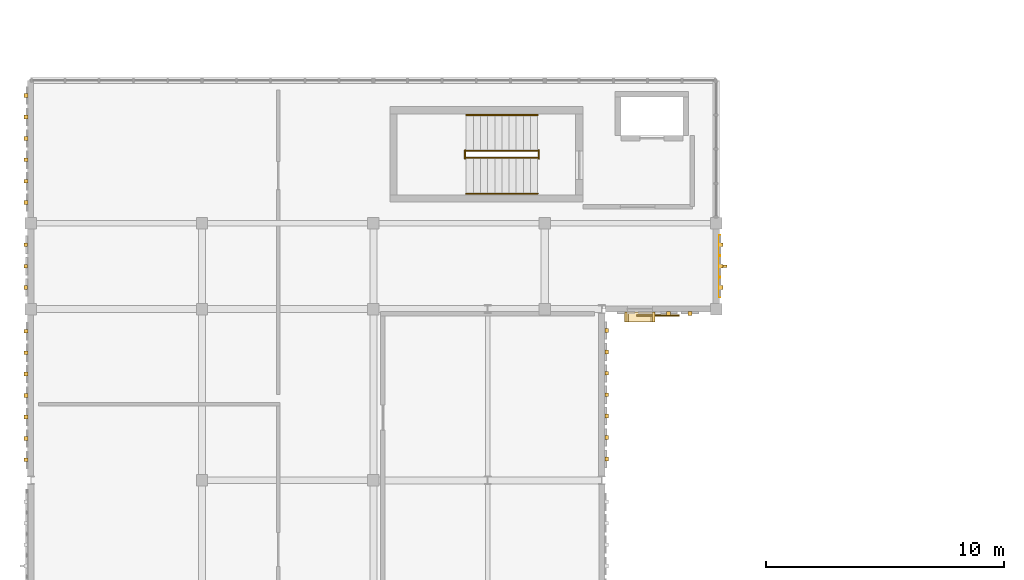
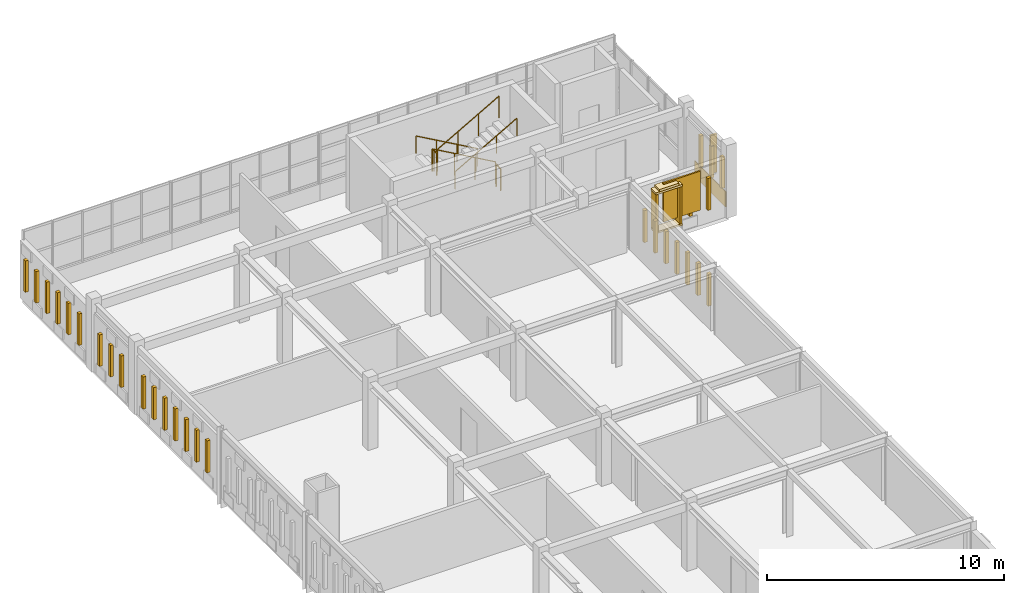
# One storey, part 43 of 53: 34 coverings, 6 railings, 2 shading devices.
"""IFC4 building model written with IfcOpenShell, lengths in metres."""

from ifc_helpers import new_model, si_unit, direction, frame, origin, origin_2d, place, context, subcontext, project, spatial, rectangle, circle, extrude, material, layer, layer_set, type_object, element, save


model = new_model("IFC4")

# Units and contexts
model_context = context("Model", 3, precision=1e-05, world=origin(), true_north=direction((0.0, 1.0)))
body_context = subcontext(model_context, "Body", "Model", "MODEL_VIEW")
ifc_project = project(units=[si_unit("LENGTHUNIT", "METRE"), si_unit("AREAUNIT", "SQUARE_METRE"), si_unit("VOLUMEUNIT", "CUBIC_METRE"), si_unit("PLANEANGLEUNIT", "RADIAN"), si_unit("MASSUNIT", "GRAM", prefix="KILO")], contexts=[model_context])

# Site, building, storey
site_placement = place(None, origin())
site = spatial("IfcSite", under=ifc_project, at=site_placement, CompositionType="ELEMENT")
building_placement = place(site_placement, origin())
building = spatial("IfcBuilding", under=site, at=building_placement, Name="Nzembalo Square Collegiate School", CompositionType="ELEMENT")
storey_placement = place(building_placement, frame((0.0, 0.0, 13.60009765625)))
storey = spatial("IfcBuildingStorey", under=building, at=storey_placement, Name="L03", CompositionType="ELEMENT", Elevation=13.60009765625)

# Coverings
ifc_material_1 = material(Name="Glazed cobalt ceramic patterned tile")
ifc_layer_1 = layer(ifc_material_1, 0.074951171875, Name="Glazed cobalt ceramic patterned tile")
ifc_layer_set_1 = layer_set([ifc_layer_1], Name="Glazed cobalt ceramic patterned tile")
covering_type_1 = type_object("IfcCoveringType", Name="CL01", PredefinedType="CLADDING", material=ifc_layer_set_1)
covering_1_placement = place(storey_placement, frame((37.347412109375, 81.0, 0.02001953125), z_axis=(0.0, 0.0, 1.0), x_axis=(1.0, 0.0, 0.0)))
element("IfcCovering", 1, at=covering_1_placement, inside=storey, type_object=covering_type_1, Name="Faience spandrel cladding CL01-0232", PredefinedType="CLADDING", context=body_context, shape_type="SweptSolid", body=[
    extrude(rectangle(XDim=0.034912109375, YDim=2.615966796875, at=origin_2d()), origin(), (0.0, 0.0, 1.0), 0.800048828125),
])
ifc_material_2 = material(Name="Glazed ochre ceramic lancet rib")
ifc_layer_2 = layer(ifc_material_2, 0.159912109375, Name="Glazed ochre ceramic lancet rib")
ifc_layer_set_2 = layer_set([ifc_layer_2], Name="Glazed ochre ceramic lancet rib")
covering_type_2 = type_object("IfcCoveringType", Name="CL02", PredefinedType="CLADDING", material=ifc_layer_set_2)
for number, where, z_axis, x_axis, name in (
    (2, (8.20751953125, 72.864990234375, 0.760009765625), (0.0, 0.0, 1.0), (1.0, 0.0, 0.0), "Gothic ceramic rib CL02-Y0229-0"),
    (3, (8.20751953125, 73.764892578125, 0.760009765625), (0.0, 0.0, 1.0), (1.0, 0.0, 0.0), "Gothic ceramic rib CL02-Y0229-1"),
    (4, (8.20751953125, 74.6650390625, 0.760009765625), (0.0, 0.0, 1.0), (1.0, 0.0, 0.0), "Gothic ceramic rib CL02-Y0229-2"),
    (5, (8.20751953125, 75.56494140625, 0.760009765625), (0.0, 0.0, 1.0), (1.0, 0.0, 0.0), "Gothic ceramic rib CL02-Y0229-3"),
    (6, (8.20751953125, 76.465087890625, 0.760009765625), (0.0, 0.0, 1.0), (1.0, 0.0, 0.0), "Gothic ceramic rib CL02-Y0229-4"),
    (7, (8.20751953125, 77.364990234375, 0.760009765625), (0.0, 0.0, 1.0), (1.0, 0.0, 0.0), "Gothic ceramic rib CL02-Y0229-5"),
    (8, (8.20751953125, 78.264892578125, 0.760009765625), (0.0, 0.0, 1.0), (1.0, 0.0, 0.0), "Gothic ceramic rib CL02-Y0229-6"),
):
    element("IfcCovering", number, at=place(storey_placement, frame(where, z_axis=z_axis, x_axis=x_axis)), inside=storey, type_object=covering_type_2, Name=name, PredefinedType="CLADDING", context=body_context, shape_type="SweptSolid", body=[
        extrude(rectangle(XDim=0.159912109375, YDim=0.159912109375, at=origin_2d()), origin(), (0.0, 0.0, 1.0), 1.64892578125),
    ])
for number, where, z_axis, x_axis, name in (
    (9, (8.197509765625, 80.10009765625, 0.759765625), (0.0, 0.0, 1.0), (1.0, 0.0, 0.0), "Gothic ceramic rib CL02-Y0230-0"),
    (10, (8.197509765625, 81.0, 0.759765625), (0.0, 0.0, 1.0), (1.0, 0.0, 0.0), "Gothic ceramic rib CL02-Y0230-1"),
    (11, (8.197509765625, 81.89990234375, 0.759765625), (0.0, 0.0, 1.0), (1.0, 0.0, 0.0), "Gothic ceramic rib CL02-Y0230-2"),
    (12, (8.20751953125, 83.6708984375, 0.759765625), (0.0, 0.0, 1.0), (1.0, 0.0, 0.0), "Gothic ceramic rib CL02-Y0231-0"),
    (13, (8.20751953125, 84.571044921875, 0.759765625), (0.0, 0.0, 1.0), (1.0, 0.0, 0.0), "Gothic ceramic rib CL02-Y0231-1"),
    (14, (8.20751953125, 85.470947265625, 0.759765625), (0.0, 0.0, 1.0), (1.0, 0.0, 0.0), "Gothic ceramic rib CL02-Y0231-2"),
    (15, (8.20751953125, 86.37109375, 0.759765625), (0.0, 0.0, 1.0), (1.0, 0.0, 0.0), "Gothic ceramic rib CL02-Y0231-3"),
    (16, (8.20751953125, 87.27099609375, 0.759765625), (0.0, 0.0, 1.0), (1.0, 0.0, 0.0), "Gothic ceramic rib CL02-Y0231-4"),
    (17, (8.20751953125, 88.1708984375, 0.759765625), (0.0, 0.0, 1.0), (1.0, 0.0, 0.0), "Gothic ceramic rib CL02-Y0231-5"),
    (18, (37.402587890625, 80.10009765625, 0.759765625), (0.0, 0.0, 1.0), (1.0, 0.0, 0.0), "Gothic ceramic rib CL02-Y0232-0"),
    (19, (37.402587890625, 81.0, 0.759765625), (0.0, 0.0, 1.0), (1.0, 0.0, 0.0), "Gothic ceramic rib CL02-Y0232-1"),
    (20, (37.402587890625, 81.89990234375, 0.759765625), (0.0, 0.0, 1.0), (1.0, 0.0, 0.0), "Gothic ceramic rib CL02-Y0232-2"),
):
    element("IfcCovering", number, at=place(storey_placement, frame(where, z_axis=z_axis, x_axis=x_axis)), inside=storey, type_object=covering_type_2, Name=name, PredefinedType="CLADDING", context=body_context, shape_type="SweptSolid", body=[
        extrude(rectangle(XDim=0.159912109375, YDim=0.159912109375, at=origin_2d()), origin(), (0.0, 0.0, 1.0), 1.618896484375),
    ])
for number, where, z_axis, x_axis, name in (
    (21, (35.205078125, 79.007568359375, 0.760009765625), (0.0, 0.0, 1.0), (1.0, 0.0, 0.0), "Gothic ceramic rib CL02-X0233-2"),
    (22, (36.10498046875, 79.007568359375, 0.760009765625), (0.0, 0.0, 1.0), (1.0, 0.0, 0.0), "Gothic ceramic rib CL02-X0233-3"),
    (23, (32.6025390625, 72.89990234375, 0.760009765625), (0.0, 0.0, 1.0), (1.0, 0.0, 0.0), "Gothic ceramic rib CL02-Y0238-0"),
    (24, (32.6025390625, 73.800048828125, 0.760009765625), (0.0, 0.0, 1.0), (1.0, 0.0, 0.0), "Gothic ceramic rib CL02-Y0238-1"),
    (25, (32.6025390625, 74.699951171875, 0.760009765625), (0.0, 0.0, 1.0), (1.0, 0.0, 0.0), "Gothic ceramic rib CL02-Y0238-2"),
    (26, (32.6025390625, 75.60009765625, 0.760009765625), (0.0, 0.0, 1.0), (1.0, 0.0, 0.0), "Gothic ceramic rib CL02-Y0238-3"),
    (27, (32.6025390625, 76.5, 0.760009765625), (0.0, 0.0, 1.0), (1.0, 0.0, 0.0), "Gothic ceramic rib CL02-Y0238-4"),
    (28, (32.6025390625, 77.39990234375, 0.760009765625), (0.0, 0.0, 1.0), (1.0, 0.0, 0.0), "Gothic ceramic rib CL02-Y0238-5"),
    (29, (32.6025390625, 78.300048828125, 0.760009765625), (0.0, 0.0, 1.0), (1.0, 0.0, 0.0), "Gothic ceramic rib CL02-Y0238-6"),
):
    element("IfcCovering", number, at=place(storey_placement, frame(where, z_axis=z_axis, x_axis=x_axis)), inside=storey, type_object=covering_type_2, Name=name, PredefinedType="CLADDING", context=body_context, shape_type="SweptSolid", body=[
        extrude(rectangle(XDim=0.159912109375, YDim=0.159912109375, at=origin_2d()), origin(), (0.0, 0.0, 1.0), 1.64892578125),
    ])
ifc_material_3 = material(Name="Glazed celadon ceramic window frame")
ifc_layer_3 = layer(ifc_material_3, 0.419921875, Name="Glazed celadon ceramic window frame")
ifc_layer_set_3 = layer_set([ifc_layer_3], Name="Glazed celadon ceramic window frame")
covering_type_3 = type_object("IfcCoveringType", Name="WF01", PredefinedType="CLADDING", material=ifc_layer_set_3)
covering_2_placement = place(storey_placement, frame((33.9921875, 78.87255859375, 2.65478515625), z_axis=(0.0, 0.0, 1.0), x_axis=(1.0, 0.0, 0.0)))
element("IfcCovering", 30, at=covering_2_placement, inside=storey, type_object=covering_type_3, Name="Deep lancet window hood WF01-0752", PredefinedType="CLADDING", context=body_context, shape_type="SweptSolid", body=[
    extrude(rectangle(XDim=1.2900390625, YDim=0.419921875, at=origin_2d()), origin(), (0.0, 0.0, 1.0), 0.110107421875),
])
covering_3_placement = place(storey_placement, frame((33.9921875, 78.87255859375, 2.759765625), z_axis=(0.0, 0.0, 1.0), x_axis=(1.0, 0.0, 0.0)))
element("IfcCovering", 31, at=covering_3_placement, inside=storey, type_object=covering_type_3, Name="Pointed lancet gable WF01-0752-1", PredefinedType="CLADDING", context=body_context, shape_type="SweptSolid", body=[
    extrude(rectangle(XDim=0.949951171875, YDim=0.419921875, at=origin_2d()), origin(), (0.0, 0.0, 1.0), 0.1201171875),
])
covering_4_placement = place(storey_placement, frame((33.9921875, 78.87255859375, 0.65478515625), z_axis=(0.0, 0.0, 1.0), x_axis=(1.0, 0.0, 0.0)))
element("IfcCovering", 32, at=covering_4_placement, inside=storey, type_object=covering_type_3, Name="Deep lancet window sill WF01-0752", PredefinedType="CLADDING", context=body_context, shape_type="SweptSolid", body=[
    extrude(rectangle(XDim=1.2900390625, YDim=0.419921875, at=origin_2d()), origin(), (0.0, 0.0, 1.0), 0.090087890625),
])
for number, where, z_axis, x_axis, name in (
    (33, (33.412353515625, 78.87255859375, 0.75), (0.0, 0.0, 1.0), (1.0, 0.0, 0.0), "Deep lancet window jamb WF01-0752L"),
    (34, (34.572265625, 78.87255859375, 0.75), (0.0, 0.0, 1.0), (1.0, 0.0, 0.0), "Deep lancet window jamb WF01-0752R"),
):
    element("IfcCovering", number, at=place(storey_placement, frame(where, z_axis=z_axis, x_axis=x_axis)), inside=storey, type_object=covering_type_3, Name=name, PredefinedType="CLADDING", context=body_context, shape_type="SweptSolid", body=[
        extrude(rectangle(XDim=0.10009765625, YDim=0.419921875, at=origin_2d()), origin(), (0.0, 0.0, 1.0), 1.89990234375),
    ])

# Railings
ifc_material_4 = material(Name="Steel S355", Category="steel")
railing_type_1 = type_object("IfcRailingType", Name="GR01", PredefinedType="GUARDRAIL", material=ifc_material_4)
railing_1_placement = place(storey_placement, frame((29.699951171875, 85.85009765625, 0.159912109375)))
element("IfcRailing", 35, at=railing_1_placement, inside=storey, type_object=railing_type_1, Name="Stair guard GR-09-1", PredefinedType="GUARDRAIL", context=body_context, shape_type="SweptSolid", body=[
    extrude(circle(Radius=0.02392578125, at=origin_2d()), frame((0.0, 0.0, 1.1259765625), z_axis=(-0.870028259722, 0.0, 0.493001853226), x_axis=(0.0, -1.0, 0.0)), (0.0, 0.0, 1.0), 3.4482421875),
    extrude(circle(Radius=0.02099609375, at=origin_2d()), origin(), (0.0, 0.0, 1.0), 1.101806640625),
    extrude(circle(Radius=0.02099609375, at=origin_2d()), frame((-1.0, 0.0, 0.566650390625)), (0.0, 0.0, 1.0), 1.101806640625),
    extrude(circle(Radius=0.02099609375, at=origin_2d()), frame((-2.0, 0.0, 1.13330078125)), (0.0, 0.0, 1.0), 1.101806640625),
    extrude(circle(Radius=0.02099609375, at=origin_2d()), frame((-3.0, 0.0, 1.699951171875)), (0.0, 0.0, 1.0), 1.101806640625),
])
railing_2_placement = place(storey_placement, frame((26.64990234375, 85.52001953125, 1.864990234375)))
element("IfcRailing", 36, at=railing_2_placement, inside=storey, type_object=railing_type_1, Name="Stair guard GR-09-2", PredefinedType="GUARDRAIL", context=body_context, shape_type="SweptSolid", body=[
    extrude(circle(Radius=0.02392578125, at=origin_2d()), frame((0.0, 0.0, 1.1259765625), z_axis=(0.0, 1.0, 0.0), x_axis=(-1.0, 0.0, 0.0)), (0.0, 0.0, 1.0), 0.35986328125),
    extrude(circle(Radius=0.02099609375, at=origin_2d()), origin(), (0.0, 0.0, 1.0), 1.101806640625),
    extrude(circle(Radius=0.02099609375, at=origin_2d()), frame((0.0, 0.35986328125, 0.0)), (0.0, 0.0, 1.0), 1.101806640625),
])
railing_3_placement = place(storey_placement, frame((26.699951171875, 85.550048828125, 2.02978515625)))
element("IfcRailing", 37, at=railing_3_placement, inside=storey, type_object=railing_type_1, Name="Stair guard GR-09-3", PredefinedType="GUARDRAIL", context=body_context, shape_type="SweptSolid", body=[
    extrude(circle(Radius=0.02392578125, at=origin_2d()), frame((0.0, 0.0, 1.1259765625), z_axis=(0.869997889882, 0.0, 0.493055444754), x_axis=(0.0, 1.0, 0.0)), (0.0, 0.0, 1.0), 3.4482421875),
    extrude(circle(Radius=0.02099609375, at=origin_2d()), origin(), (0.0, 0.0, 1.0), 1.101806640625),
    extrude(circle(Radius=0.02099609375, at=origin_2d()), frame((1.0, 0.0, 0.566650390625)), (0.0, 0.0, 1.0), 1.101806640625),
    extrude(circle(Radius=0.02099609375, at=origin_2d()), frame((2.0, 0.0, 1.133544921875)), (0.0, 0.0, 1.0), 1.101806640625),
    extrude(circle(Radius=0.02099609375, at=origin_2d()), frame((3.0, 0.0, 1.7001953125)), (0.0, 0.0, 1.0), 1.101806640625),
])
railing_4_placement = place(storey_placement, frame((29.75, 85.52001953125, -0.005126953125)))
element("IfcRailing", 38, at=railing_4_placement, inside=storey, type_object=railing_type_1, Name="Stair guard GR-09-4", PredefinedType="GUARDRAIL", context=body_context, shape_type="SweptSolid", body=[
    extrude(circle(Radius=0.02392578125, at=origin_2d()), frame((0.0, 0.0, 1.1259765625), z_axis=(0.0, 1.0, 0.0), x_axis=(-1.0, 0.0, 0.0)), (0.0, 0.0, 1.0), 0.35986328125),
    extrude(circle(Radius=0.02099609375, at=origin_2d()), origin(), (0.0, 0.0, 1.0), 1.101806640625),
    extrude(circle(Radius=0.02099609375, at=origin_2d()), frame((0.0, 0.35986328125, 0.0)), (0.0, 0.0, 1.0), 1.101806640625),
])
ifc_material_5 = material(Name="Steel S355", Category="steel")
railing_type_2 = type_object("IfcRailingType", Name="HR01", PredefinedType="HANDRAIL", material=ifc_material_5)
railing_5_placement = place(storey_placement, frame((29.699951171875, 87.35009765625, 0.159912109375)))
element("IfcRailing", 39, at=railing_5_placement, inside=storey, type_object=railing_type_2, Name="Stair handrail HR-09-1", PredefinedType="HANDRAIL", context=body_context, shape_type="SweptSolid", body=[
    extrude(circle(Radius=0.02392578125, at=origin_2d()), frame((0.0, 0.0, 0.89599609375), z_axis=(-0.870028259722, 0.0, 0.493001853226), x_axis=(0.0, -1.0, 0.0)), (0.0, 0.0, 1.0), 3.4482421875),
    extrude(circle(Radius=0.02099609375, at=origin_2d()), origin(), (0.0, 0.0, 1.0), 0.871826171875),
    extrude(circle(Radius=0.02099609375, at=origin_2d()), frame((-1.0, 0.0, 0.566650390625)), (0.0, 0.0, 1.0), 0.871826171875),
    extrude(circle(Radius=0.02099609375, at=origin_2d()), frame((-2.0, 0.0, 1.13330078125)), (0.0, 0.0, 1.0), 0.871826171875),
    extrude(circle(Radius=0.02099609375, at=origin_2d()), frame((-3.0, 0.0, 1.699951171875)), (0.0, 0.0, 1.0), 0.871826171875),
])
railing_6_placement = place(storey_placement, frame((26.699951171875, 84.050048828125, 2.02978515625)))
element("IfcRailing", 40, at=railing_6_placement, inside=storey, type_object=railing_type_2, Name="Stair handrail HR-09-2", PredefinedType="HANDRAIL", context=body_context, shape_type="SweptSolid", body=[
    extrude(circle(Radius=0.02392578125, at=origin_2d()), frame((0.0, 0.0, 0.89599609375), z_axis=(0.869997889882, 0.0, 0.493055444754), x_axis=(0.0, 1.0, 0.0)), (0.0, 0.0, 1.0), 3.4482421875),
    extrude(circle(Radius=0.02099609375, at=origin_2d()), origin(), (0.0, 0.0, 1.0), 0.871826171875),
    extrude(circle(Radius=0.02099609375, at=origin_2d()), frame((1.0, 0.0, 0.566650390625)), (0.0, 0.0, 1.0), 0.871826171875),
    extrude(circle(Radius=0.02099609375, at=origin_2d()), frame((2.0, 0.0, 1.133544921875)), (0.0, 0.0, 1.0), 0.871826171875),
    extrude(circle(Radius=0.02099609375, at=origin_2d()), frame((3.0, 0.0, 1.7001953125)), (0.0, 0.0, 1.0), 0.871826171875),
])

# Shading devices
ifc_material_6 = material(Name="Glazed ochre ceramic vertical fin")
shading_device_type_1 = type_object("IfcShadingDeviceType", Name="JL01", PredefinedType="JALOUSIE", material=ifc_material_6)
shading_device_1_placement = place(storey_placement, frame((37.487548828125, 81.0, 0.94970703125), z_axis=(0.0, 0.0, 1.0), x_axis=(1.0, 0.0, 0.0)))
element("IfcShadingDevice", 41, at=shading_device_1_placement, inside=storey, type_object=shading_device_type_1, Name="Ceramic fin JL01-0232", PredefinedType="JALOUSIE", context=body_context, shape_type="SweptSolid", body=[
    extrude(rectangle(XDim=0.320068359375, YDim=0.090087890625, at=origin_2d()), origin(), (0.0, 0.0, 1.0), 1.968994140625),
])
ifc_material_7 = material(Name="Glazed celadon ceramic lancet screen")
ifc_layer_4 = layer(ifc_material_7, 0.080078125, Name="Glazed celadon ceramic lancet screen")
ifc_layer_set_4 = layer_set([ifc_layer_4], Name="Glazed celadon ceramic lancet screen")
shading_device_type_2 = type_object("IfcShadingDeviceType", Name="SC02", PredefinedType="USERDEFINED", material=ifc_layer_set_4)
shading_device_2_placement = place(storey_placement, frame((34.7548828125, 78.927490234375, 0.949951171875), z_axis=(0.0, 0.0, 1.0), x_axis=(1.0, 0.0, 0.0)))
element("IfcShadingDevice", 42, at=shading_device_2_placement, inside=storey, type_object=shading_device_type_2, Name="Ceramic lancet screen SC02-024", ObjectType="SCREEN", PredefinedType="USERDEFINED", context=body_context, shape_type="SweptSolid", body=[
    extrude(rectangle(XDim=1.800048828125, YDim=0.080078125, at=origin_2d()), origin(), (0.0, 0.0, 1.0), 1.9990234375),
])

save(model, "model.ifc")
